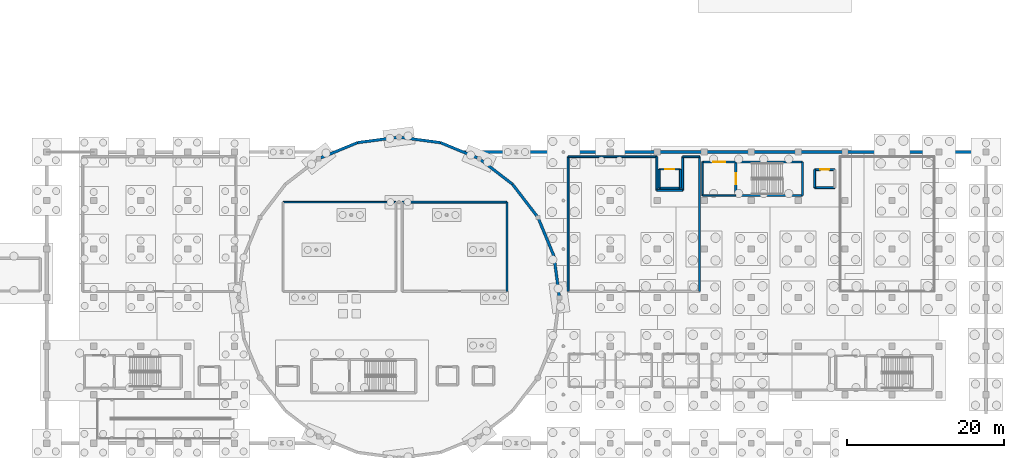
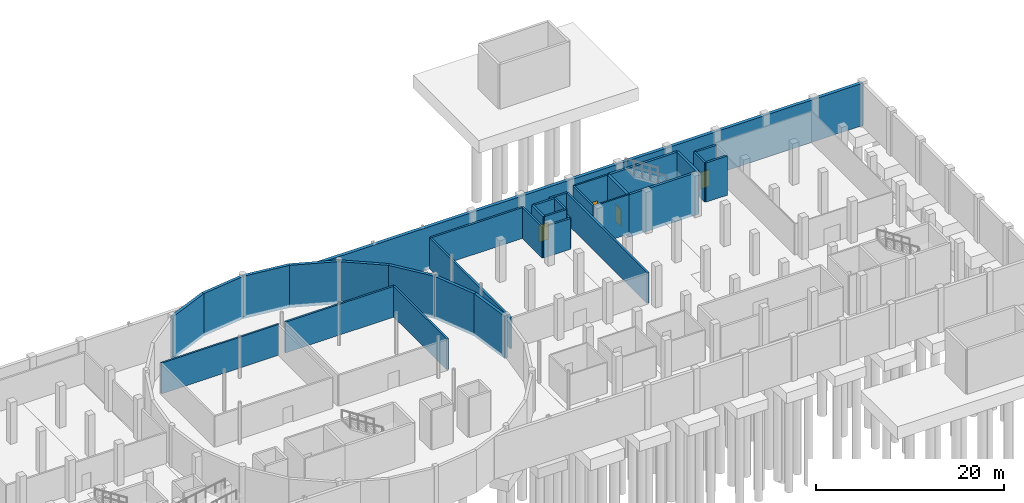
# One storey, part 13 of 19: 33 walls, 4 doors, 4 openings.
"""IFC4 building model written with IfcOpenShell, lengths in metres."""

from ifc_helpers import new_model, si_unit, direction, frame, frame_2d, origin, place, context, subcontext, project, spatial, rectangle, extrude, material, layer, layer_set, type_object, element, fill, save


model = new_model("IFC4")

# Units and contexts
model_context = context("Model", 3, precision=1e-05, world=origin(), true_north=direction((0.0, 1.0)))
body_context = subcontext(model_context, "Body", "Model", "MODEL_VIEW")
ifc_project = project(units=[si_unit("LENGTHUNIT", "METRE"), si_unit("AREAUNIT", "SQUARE_METRE"), si_unit("VOLUMEUNIT", "CUBIC_METRE"), si_unit("PLANEANGLEUNIT", "RADIAN"), si_unit("MASSUNIT", "GRAM", prefix="KILO")], contexts=[model_context])

# Site, building, storey
site_placement = place(None, origin())
site = spatial("IfcSite", under=ifc_project, at=site_placement, CompositionType="ELEMENT")
building_placement = place(site_placement, origin())
building = spatial("IfcBuilding", under=site, at=building_placement, Name="Mirzam Square Science Centre", CompositionType="ELEMENT")
storey_placement = place(building_placement, frame((0.0, 0.0, -5.39990234375)))
storey = spatial("IfcBuildingStorey", under=building, at=storey_placement, Name="B01", CompositionType="ELEMENT", Elevation=-5.39990234375)

# Walls
ifc_material_1 = material(Name="Concrete C45/55", Category="concrete")
ifc_layer_1 = layer(ifc_material_1, 0.300048828125)
ifc_layer_set_1 = layer_set([ifc_layer_1], Name="W-CORE-300")
wall_type_1 = type_object("IfcWallType", Name="W-CORE-300", PredefinedType="SHEAR", material=ifc_layer_set_1)
for number, where, z_axis, x_axis, name in (
    (1, (124.0400390625, 75.0400390625, -0.400146484375), (0.0, 0.0, 1.0), (1.0, 0.0, 0.0), "B01 CORE-4 south wall"),
    (2, (132.56005859375, 79.330078125, -0.400146484375), (0.0, 0.0, 1.0), (-1.0, 0.0, 0.0), "B01 CORE-4 north wall"),
):
    element("IfcWall", number, at=place(storey_placement, frame(where, z_axis=z_axis, x_axis=x_axis)), inside=storey, type_object=wall_type_1, Name=name, PredefinedType="SHEAR", context=body_context, shape_type="SweptSolid", body=[
        extrude(rectangle(XDim=8.52001953125, YDim=0.300048828125, at=frame_2d((4.260009765625, 0.0))), origin(), (0.0, 0.0, 1.0), 5.5),
    ])

# Wall, opening, door
wall_1_placement = place(storey_placement, frame((124.0400390625, 79.330078125, -0.400146484375), z_axis=(0.0, 0.0, 1.0), x_axis=(0.0, -1.0, 0.0)))
wall_1 = element("IfcWall", 3, at=wall_1_placement, inside=storey, type_object=wall_type_1, Name="B01 CORE-4 west wall", PredefinedType="SHEAR", context=body_context, shape_type="SweptSolid", body=[
    extrude(rectangle(XDim=4.2900390625, YDim=0.300048828125, at=frame_2d((2.14501953125, 0.0))), origin(), (0.0, 0.0, 1.0), 5.5),
])
opening_1_placement = place(wall_1_placement, frame((1.469970703125, 0.0, 0.39990234375)))
opening_1 = element("IfcOpeningElement", 4, at=opening_1_placement, cuts=wall_1, Name="Opening DS-01", PredefinedType="OPENING", context=body_context, shape_type="SweptSolid", body=[
    extrude(rectangle(XDim=1.35009765625, YDim=2.199951171875, at=frame_2d((0.675048828125, 1.10009765625))), frame((0.0, 0.159912109375, 0.0), z_axis=(0.0, -1.0, 0.0), x_axis=(1.0, 0.0, 0.0)), (0.0, 0.0, 1.0), 0.320068359375),
])
ifc_material_2 = material(Name="Fire-Rated Powder-Coated Architectural Steel Door", Category="steel")
door_type_1 = type_object("IfcDoorType", Name="DR-STAIR-1350x2200", OperationType="NOTDEFINED", PredefinedType="DOOR", material=ifc_material_2)
door_1_placement = place(opening_1_placement, origin())
door_1 = element("IfcDoor", 5, at=door_1_placement, inside=storey, type_object=door_type_1, Name="DRS-4-B01", OperationType="SINGLE_SWING_LEFT", OverallHeight=2.199951171875, OverallWidth=1.35009765625, PredefinedType="DOOR", context=body_context, shape_type="SweptSolid", body=[
    extrude(rectangle(XDim=1.35009765625, YDim=2.199951171875, at=frame_2d((0.675048828125, 1.10009765625))), frame((0.0, 0.02490234375, 0.0), z_axis=(0.0, -1.0, 0.0), x_axis=(1.0, 0.0, 0.0)), (0.0, 0.0, 1.0), 0.050048828125),
])
fill(opening_1, door_1)

# Walls
wall_2_placement = place(storey_placement, frame((132.56005859375, 75.0400390625, -0.400146484375), z_axis=(0.0, 0.0, 1.0), x_axis=(0.0, 1.0, 0.0)))
element("IfcWall", 6, at=wall_2_placement, inside=storey, type_object=wall_type_1, Name="B01 CORE-4 east wall", PredefinedType="SHEAR", context=body_context, shape_type="SweptSolid", body=[
    extrude(rectangle(XDim=4.2900390625, YDim=0.300048828125, at=frame_2d((2.14501953125, 0.0))), origin(), (0.0, 0.0, 1.0), 5.5),
])
ifc_layer_2 = layer(ifc_material_1, 0.35009765625)
ifc_layer_set_2 = layer_set([ifc_layer_2], Name="W-DRUM-350")
wall_type_2 = type_object("IfcWallType", Name="W-DRUM-350", PredefinedType="SHEAR", material=ifc_layer_set_2)
wall_3_placement = place(storey_placement, frame((101.5, 62.0, -0.400146484375), z_axis=(0.0, 0.0, 1.0), x_axis=(-0.130517056518, 0.991446064069, 0.0)))
element("IfcWall", 7, at=wall_3_placement, inside=storey, type_object=wall_type_2, Name="B01 planetarium drum wall 01", PredefinedType="SHEAR", context=body_context, shape_type="SweptSolid", body=[
    extrude(rectangle(XDim=5.351806640625, YDim=0.35009765625, at=frame_2d((2.67578125, 0.0))), origin(), (0.0, 0.0, 1.0), 5.5),
])
for number, where, z_axis, x_axis, name in (
    (8, (100.801513671875, 67.305908203125, -0.400146484375), (0.0, 0.0, 1.0), (-0.382713071139, 0.923867255172, 0.0), "B01 planetarium drum wall 02"),
    (9, (98.75341796875, 72.25, -0.400146484375), (0.0, 0.0, 1.0), (-0.60876670321, 0.793349293227, 0.0), "B01 planetarium drum wall 03"),
    (10, (95.49560546875, 76.49560546875, -0.400146484375), (0.0, 0.0, 1.0), (-0.793349293227, 0.60876670321, 0.0), "B01 planetarium drum wall 04"),
    (11, (91.25, 79.75341796875, -0.400146484375), (0.0, 0.0, 1.0), (-0.923867255172, 0.382713071139, 0.0), "B01 planetarium drum wall 05"),
):
    element("IfcWall", number, at=place(storey_placement, frame(where, z_axis=z_axis, x_axis=x_axis)), inside=storey, type_object=wall_type_2, Name=name, PredefinedType="SHEAR", context=body_context, shape_type="SweptSolid", body=[
        extrude(rectangle(XDim=5.3515625, YDim=0.35009765625, at=frame_2d((2.67578125, 0.0))), origin(), (0.0, 0.0, 1.0), 5.5),
    ])
for number, where, z_axis, x_axis, name in (
    (12, (86.305908203125, 81.801513671875, -0.400146484375), (0.0, 0.0, 1.0), (-0.991446064069, 0.130517056518, 0.0), "B01 planetarium drum wall 06"),
    (13, (81.0, 82.5, -0.400146484375), (0.0, 0.0, 1.0), (-0.991446064069, -0.130517056518, 0.0), "B01 planetarium drum wall 07"),
):
    element("IfcWall", number, at=place(storey_placement, frame(where, z_axis=z_axis, x_axis=x_axis)), inside=storey, type_object=wall_type_2, Name=name, PredefinedType="SHEAR", context=body_context, shape_type="SweptSolid", body=[
        extrude(rectangle(XDim=5.351806640625, YDim=0.35009765625, at=frame_2d((2.67578125, 0.0))), origin(), (0.0, 0.0, 1.0), 5.5),
    ])
wall_4_placement = place(storey_placement, frame((75.694091796875, 81.801513671875, -0.400146484375), z_axis=(0.0, 0.0, 1.0), x_axis=(-0.923867255172, -0.382713071139, 0.0)))
element("IfcWall", 14, at=wall_4_placement, inside=storey, type_object=wall_type_2, Name="B01 planetarium drum wall 08", PredefinedType="SHEAR", context=body_context, shape_type="SweptSolid", body=[
    extrude(rectangle(XDim=5.3515625, YDim=0.35009765625, at=frame_2d((2.67578125, 0.0))), origin(), (0.0, 0.0, 1.0), 5.5),
])
ifc_layer_3 = layer(ifc_material_1, 0.199951171875)
ifc_layer_set_3 = layer_set([ifc_layer_3], Name="W-LOBBY-200")
wall_type_3 = type_object("IfcWallType", Name="W-LOBBY-200", PredefinedType="SHEAR", material=ifc_layer_set_3)
wall_5_placement = place(storey_placement, frame((119.800048828125, 75.0400390625, 0.0), z_axis=(0.0, 0.0, 1.0), x_axis=(1.0, 0.0, 0.0)))
element("IfcWall", 15, at=wall_5_placement, inside=storey, type_object=wall_type_3, Name="B01 CORE-4 lobby south wall", PredefinedType="SHEAR", context=body_context, shape_type="SweptSolid", body=[
    extrude(rectangle(XDim=4.239990234375, YDim=0.199951171875, at=frame_2d((2.1201171875, 0.0))), origin(), (0.0, 0.0, 1.0), 5.099853515625),
])

# Wall, opening, door
wall_6_placement = place(storey_placement, frame((124.0400390625, 79.330078125, 0.0), z_axis=(0.0, 0.0, 1.0), x_axis=(-1.0, 0.0, 0.0)))
wall_6 = element("IfcWall", 16, at=wall_6_placement, inside=storey, type_object=wall_type_3, Name="B01 CORE-4 lobby north wall", PredefinedType="SHEAR", context=body_context, shape_type="SweptSolid", body=[
    extrude(rectangle(XDim=4.239990234375, YDim=0.199951171875, at=frame_2d((2.1201171875, 0.0))), origin(), (0.0, 0.0, 1.0), 5.099853515625),
])
opening_2_placement = place(wall_6_placement, frame((1.344970703125, 0.0, 0.0)))
opening_2 = element("IfcOpeningElement", 17, at=opening_2_placement, cuts=wall_6, Name="Opening DL-01", PredefinedType="OPENING", context=body_context, shape_type="SweptSolid", body=[
    extrude(rectangle(XDim=1.550048828125, YDim=2.199951171875, at=frame_2d((0.77490234375, 1.10009765625))), frame((0.0, 0.10986328125, 0.0), z_axis=(0.0, -1.0, 0.0), x_axis=(1.0, 0.0, 0.0)), (0.0, 0.0, 1.0), 0.219970703125),
])
ifc_material_3 = material(Name="Fire-Rated Glazed Architectural Steel Lobby Door", Category="steel")
door_type_2 = type_object("IfcDoorType", Name="DR-LOBBY-1550x2200", OperationType="DOUBLE_DOOR_SINGLE_SWING", PredefinedType="DOOR", material=ifc_material_3)
door_2_placement = place(opening_2_placement, origin())
door_2 = element("IfcDoor", 18, at=door_2_placement, inside=storey, type_object=door_type_2, Name="DRL-4-B01", OperationType="SINGLE_SWING_LEFT", OverallHeight=2.199951171875, OverallWidth=1.550048828125, PredefinedType="DOOR", context=body_context, shape_type="SweptSolid", body=[
    extrude(rectangle(XDim=1.550048828125, YDim=2.199951171875, at=frame_2d((0.77490234375, 1.10009765625))), frame((0.0, 0.02490234375, 0.0), z_axis=(0.0, -1.0, 0.0), x_axis=(1.0, 0.0, 0.0)), (0.0, 0.0, 1.0), 0.050048828125),
])
fill(opening_2, door_2)

# Walls
wall_7_placement = place(storey_placement, frame((119.800048828125, 79.330078125, 0.0), z_axis=(0.0, 0.0, 1.0), x_axis=(0.0, -1.0, 0.0)))
element("IfcWall", 19, at=wall_7_placement, inside=storey, type_object=wall_type_3, Name="B01 CORE-4 lobby west wall", PredefinedType="SHEAR", context=body_context, shape_type="SweptSolid", body=[
    extrude(rectangle(XDim=4.2900390625, YDim=0.199951171875, at=frame_2d((2.14501953125, 0.0))), origin(), (0.0, 0.0, 1.0), 5.099853515625),
])
ifc_material_4 = material(Name="Chemical Prep Fire Partition Concrete C30/37", Category="concrete")
ifc_layer_4 = layer(ifc_material_4, 0.215087890625)
ifc_layer_set_4 = layer_set([ifc_layer_4], Name="W-PART-215")
wall_type_4 = type_object("IfcWallType", Name="W-PART-215", PredefinedType="PARTITIONING", material=ifc_layer_set_4)
wall_8_placement = place(storey_placement, frame((66.199951171875, 74.199951171875, 0.0), z_axis=(0.0, 0.0, 1.0), x_axis=(1.0, 0.0, 0.0)))
element("IfcWall", 20, at=wall_8_placement, inside=storey, type_object=wall_type_4, Name="B01 Exhibit Fabrication Workshop partition 17", PredefinedType="PARTITIONING", context=body_context, shape_type="SweptSolid", body=[
    extrude(rectangle(XDim=14.400146484375, YDim=0.215087890625, at=frame_2d((7.2001953125, 0.0))), origin(), (0.0, 0.0, 1.0), 4.0),
])
ifc_material_5 = material(Name="Gallery Display Backing Wall Concrete C30/37", Category="concrete")
ifc_layer_5 = layer(ifc_material_5, 0.22998046875)
ifc_layer_set_5 = layer_set([ifc_layer_5], Name="W-PART-230")
wall_type_5 = type_object("IfcWallType", Name="W-PART-230", PredefinedType="PARTITIONING", material=ifc_layer_set_5)
wall_9_placement = place(storey_placement, frame((81.39990234375, 74.199951171875, 0.0), z_axis=(0.0, 0.0, 1.0), x_axis=(1.0, 0.0, 0.0)))
element("IfcWall", 21, at=wall_9_placement, inside=storey, type_object=wall_type_5, Name="B01 Conservation and Quarantine Laboratory partition 21", PredefinedType="PARTITIONING", context=body_context, shape_type="SweptSolid", body=[
    extrude(rectangle(XDim=13.400146484375, YDim=0.22998046875, at=frame_2d((6.7001953125, 0.0))), origin(), (0.0, 0.0, 1.0), 4.0),
])
wall_10_placement = place(storey_placement, frame((94.800048828125, 74.199951171875, 0.0), z_axis=(0.0, 0.0, 1.0), x_axis=(0.0, -1.0, 0.0)))
element("IfcWall", 22, at=wall_10_placement, inside=storey, type_object=wall_type_5, Name="B01 Conservation and Quarantine Laboratory partition 22", PredefinedType="PARTITIONING", context=body_context, shape_type="SweptSolid", body=[
    extrude(rectangle(XDim=11.39990234375, YDim=0.22998046875, at=frame_2d((5.699951171875, 0.0))), origin(), (0.0, 0.0, 1.0), 4.0),
])
ifc_material_6 = material(Name="Plant Acoustic Barrier Wall Concrete C35/45", Category="concrete")
ifc_layer_6 = layer(ifc_material_6, 0.2451171875)
ifc_layer_set_6 = layer_set([ifc_layer_6], Name="W-PART-245")
wall_type_6 = type_object("IfcWallType", Name="W-PART-245", PredefinedType="PARTITIONING", material=ifc_layer_set_6)
for number, where, z_axis, x_axis, name in (
    (23, (119.39990234375, 80.0, 0.0), (0.0, 0.0, 1.0), (0.0, -1.0, 0.0), "B01 Collection Archive and Crate Store partition 25"),
    (24, (102.60009765625, 62.800048828125, 0.0), (0.0, 0.0, 1.0), (0.0, 1.0, 0.0), "B01 Collection Archive and Crate Store partition 27"),
):
    element("IfcWall", number, at=place(storey_placement, frame(where, z_axis=z_axis, x_axis=x_axis)), inside=storey, type_object=wall_type_6, Name=name, PredefinedType="PARTITIONING", context=body_context, shape_type="SweptSolid", body=[
        extrude(rectangle(XDim=17.199951171875, YDim=0.2451171875, at=frame_2d((8.60009765625, 0.0))), origin(), (0.0, 0.0, 1.0), 4.0),
    ])
wall_11_placement = place(storey_placement, frame((102.60009765625, 80.0, 0.0), z_axis=(0.0, 0.0, 1.0), x_axis=(1.0, 0.0, 0.0)))
element("IfcWall", 25, at=wall_11_placement, inside=storey, type_object=wall_type_6, Name="B01 Collection Archive and Crate Store partition 28", PredefinedType="PARTITIONING", context=body_context, shape_type="SweptSolid", body=[
    extrude(rectangle(XDim=11.349853515625, YDim=0.2451171875, at=frame_2d((5.6748046875, 0.0))), origin(), (0.0, 0.0, 1.0), 4.0),
])
wall_12_placement = place(storey_placement, frame((113.949951171875, 80.0, 0.0), z_axis=(0.0, 0.0, 1.0), x_axis=(0.0, -1.0, 0.0)))
element("IfcWall", 26, at=wall_12_placement, inside=storey, type_object=wall_type_6, Name="B01 Collection Archive and Crate Store partition 29", PredefinedType="PARTITIONING", context=body_context, shape_type="SweptSolid", body=[
    extrude(rectangle(XDim=4.300048828125, YDim=0.2451171875, at=frame_2d((2.14990234375, 0.0))), origin(), (0.0, 0.0, 1.0), 4.0),
])
wall_13_placement = place(storey_placement, frame((113.949951171875, 75.699951171875, 0.0), z_axis=(0.0, 0.0, 1.0), x_axis=(1.0, 0.0, 0.0)))
element("IfcWall", 27, at=wall_13_placement, inside=storey, type_object=wall_type_6, Name="B01 Collection Archive and Crate Store partition 30", PredefinedType="PARTITIONING", context=body_context, shape_type="SweptSolid", body=[
    extrude(rectangle(XDim=3.300048828125, YDim=0.2451171875, at=frame_2d((1.64990234375, 0.0))), origin(), (0.0, 0.0, 1.0), 4.0),
])
wall_14_placement = place(storey_placement, frame((117.25, 75.699951171875, 0.0), z_axis=(0.0, 0.0, 1.0), x_axis=(0.0, 1.0, 0.0)))
element("IfcWall", 28, at=wall_14_placement, inside=storey, type_object=wall_type_6, Name="B01 Collection Archive and Crate Store partition 31", PredefinedType="PARTITIONING", context=body_context, shape_type="SweptSolid", body=[
    extrude(rectangle(XDim=4.300048828125, YDim=0.2451171875, at=frame_2d((2.14990234375, 0.0))), origin(), (0.0, 0.0, 1.0), 4.0),
])
wall_15_placement = place(storey_placement, frame((117.25, 80.0, 0.0), z_axis=(0.0, 0.0, 1.0), x_axis=(1.0, 0.0, 0.0)))
element("IfcWall", 29, at=wall_15_placement, inside=storey, type_object=wall_type_6, Name="B01 Collection Archive and Crate Store partition 32", PredefinedType="PARTITIONING", context=body_context, shape_type="SweptSolid", body=[
    extrude(rectangle(XDim=2.14990234375, YDim=0.2451171875, at=frame_2d((1.074951171875, 0.0))), origin(), (0.0, 0.0, 1.0), 4.0),
])
ifc_layer_7 = layer(ifc_material_1, 0.39990234375)
ifc_layer_set_7 = layer_set([ifc_layer_7], Name="W-RET-400")
wall_type_7 = type_object("IfcWallType", Name="W-RET-400", PredefinedType="USERDEFINED", material=ifc_layer_set_7)
wall_16_placement = place(storey_placement, frame((89.206298828125, 80.60009765625, -0.400146484375), z_axis=(0.0, 0.0, 1.0), x_axis=(1.0, 0.0, 0.0)))
element("IfcWall", 30, at=wall_16_placement, inside=storey, type_object=wall_type_7, Name="B01 tanked retaining wall 04", ObjectType="RETAINING WALL", PredefinedType="USERDEFINED", context=body_context, shape_type="SweptSolid", body=[
    extrude(rectangle(XDim=66.793701171875, YDim=0.39990234375, at=frame_2d((33.39697265625, 0.0))), origin(), (0.0, 0.0, 1.0), 5.5),
])
ifc_layer_8 = layer(ifc_material_1, 0.25)
ifc_layer_set_8 = layer_set([ifc_layer_8], Name="W-SHAFT-250")
wall_type_8 = type_object("IfcWallType", Name="W-SHAFT-250", PredefinedType="SHEAR", material=ifc_layer_set_8)
wall_17_placement = place(storey_placement, frame((134.10009765625, 76.050048828125, 0.0), z_axis=(0.0, 0.0, 1.0), x_axis=(1.0, 0.0, 0.0)))
element("IfcWall", 31, at=wall_17_placement, inside=storey, type_object=wall_type_8, Name="B01 lift LP-03 shaft wall S", PredefinedType="SHEAR", context=body_context, shape_type="SweptSolid", body=[
    extrude(rectangle(XDim=2.599853515625, YDim=0.25, at=frame_2d((1.2998046875, 0.0))), origin(), (0.0, 0.0, 1.0), 5.099853515625),
])

# Wall, opening, door
wall_18_placement = place(storey_placement, frame((136.699951171875, 78.35009765625, 0.0), z_axis=(0.0, 0.0, 1.0), x_axis=(-1.0, 0.0, 0.0)))
wall_18 = element("IfcWall", 32, at=wall_18_placement, inside=storey, type_object=wall_type_8, Name="B01 lift LP-03 shaft wall N", PredefinedType="SHEAR", context=body_context, shape_type="SweptSolid", body=[
    extrude(rectangle(XDim=2.599853515625, YDim=0.25, at=frame_2d((1.2998046875, 0.0))), origin(), (0.0, 0.0, 1.0), 5.099853515625),
])
opening_3_placement = place(wall_18_placement, frame((0.75, 0.0, 0.0)))
opening_3 = element("IfcOpeningElement", 33, at=opening_3_placement, cuts=wall_18, Name="Opening LD-01", PredefinedType="OPENING", context=body_context, shape_type="SweptSolid", body=[
    extrude(rectangle(XDim=1.10009765625, YDim=2.14990234375, at=frame_2d((0.550048828125, 1.074951171875))), frame((0.0, 0.135009765625, 0.0), z_axis=(0.0, -1.0, 0.0), x_axis=(1.0, 0.0, 0.0)), (0.0, 0.0, 1.0), 0.27001953125),
])
ifc_material_7 = material(Name="Brushed Stainless Steel 316L Sliding Lift Door", Category="steel")
door_type_3 = type_object("IfcDoorType", Name="LD-PASS-1100x2150", OperationType="DOUBLE_DOOR_SLIDING", PredefinedType="DOOR", material=ifc_material_7)
door_3_placement = place(opening_3_placement, origin())
door_3 = element("IfcDoor", 34, at=door_3_placement, inside=storey, type_object=door_type_3, Name="LD-LP-03-B01", OperationType="DOUBLE_DOOR_SLIDING", OverallHeight=2.14990234375, OverallWidth=1.10009765625, PredefinedType="DOOR", context=body_context, shape_type="SweptSolid", body=[
    extrude(rectangle(XDim=1.10009765625, YDim=2.14990234375, at=frame_2d((0.550048828125, 1.074951171875))), frame((0.0, 0.02490234375, 0.0), z_axis=(0.0, -1.0, 0.0), x_axis=(1.0, 0.0, 0.0)), (0.0, 0.0, 1.0), 0.050048828125),
])
fill(opening_3, door_3)

# Walls
wall_19_placement = place(storey_placement, frame((134.10009765625, 78.35009765625, 0.0), z_axis=(0.0, 0.0, 1.0), x_axis=(0.0, -1.0, 0.0)))
element("IfcWall", 35, at=wall_19_placement, inside=storey, type_object=wall_type_8, Name="B01 lift LP-03 shaft wall W", PredefinedType="SHEAR", context=body_context, shape_type="SweptSolid", body=[
    extrude(rectangle(XDim=2.300048828125, YDim=0.25, at=frame_2d((1.14990234375, 0.0))), origin(), (0.0, 0.0, 1.0), 5.099853515625),
])
wall_20_placement = place(storey_placement, frame((114.25, 76.0, 0.0), z_axis=(0.0, 0.0, 1.0), x_axis=(1.0, 0.0, 0.0)))
element("IfcWall", 36, at=wall_20_placement, inside=storey, type_object=wall_type_8, Name="B01 lift LF-02 shaft wall S", PredefinedType="SHEAR", context=body_context, shape_type="SweptSolid", body=[
    extrude(rectangle(XDim=2.699951171875, YDim=0.25, at=frame_2d((1.35009765625, 0.0))), origin(), (0.0, 0.0, 1.0), 5.099853515625),
])

# Wall, opening, door
wall_21_placement = place(storey_placement, frame((116.949951171875, 78.39990234375, 0.0), z_axis=(0.0, 0.0, 1.0), x_axis=(-1.0, 0.0, 0.0)))
wall_21 = element("IfcWall", 37, at=wall_21_placement, inside=storey, type_object=wall_type_8, Name="B01 lift LF-02 shaft wall N", PredefinedType="SHEAR", context=body_context, shape_type="SweptSolid", body=[
    extrude(rectangle(XDim=2.699951171875, YDim=0.25, at=frame_2d((1.35009765625, 0.0))), origin(), (0.0, 0.0, 1.0), 5.099853515625),
])
opening_4_placement = place(wall_21_placement, frame((0.75, 0.0, 0.0)))
opening_4 = element("IfcOpeningElement", 38, at=opening_4_placement, cuts=wall_21, Name="Opening LD-02", PredefinedType="OPENING", context=body_context, shape_type="SweptSolid", body=[
    extrude(rectangle(XDim=1.199951171875, YDim=2.199951171875, at=frame_2d((0.60009765625, 1.10009765625))), frame((0.0, 0.135009765625, 0.0), z_axis=(0.0, -1.0, 0.0), x_axis=(1.0, 0.0, 0.0)), (0.0, 0.0, 1.0), 0.27001953125),
])
ifc_material_8 = material(Name="Firefighting Brushed Stainless Steel 316L Sliding Door", Category="steel")
door_type_4 = type_object("IfcDoorType", Name="LD-FIRE-1200x2200", OperationType="DOUBLE_DOOR_SLIDING", PredefinedType="DOOR", material=ifc_material_8)
door_4_placement = place(opening_4_placement, origin())
door_4 = element("IfcDoor", 39, at=door_4_placement, inside=storey, type_object=door_type_4, Name="LD-LF-02-B01", OperationType="DOUBLE_DOOR_SLIDING", OverallHeight=2.199951171875, OverallWidth=1.199951171875, PredefinedType="DOOR", context=body_context, shape_type="SweptSolid", body=[
    extrude(rectangle(XDim=1.199951171875, YDim=2.199951171875, at=frame_2d((0.60009765625, 1.10009765625))), frame((0.0, 0.02490234375, 0.0), z_axis=(0.0, -1.0, 0.0), x_axis=(1.0, 0.0, 0.0)), (0.0, 0.0, 1.0), 0.050048828125),
])
fill(opening_4, door_4)

# Walls
for number, where, z_axis, x_axis, name in (
    (40, (114.25, 78.39990234375, 0.0), (0.0, 0.0, 1.0), (0.0, -1.0, 0.0), "B01 lift LF-02 shaft wall W"),
    (41, (116.949951171875, 76.0, 0.0), (0.0, 0.0, 1.0), (0.0, 1.0, 0.0), "B01 lift LF-02 shaft wall E"),
):
    element("IfcWall", number, at=place(storey_placement, frame(where, z_axis=z_axis, x_axis=x_axis)), inside=storey, type_object=wall_type_8, Name=name, PredefinedType="SHEAR", context=body_context, shape_type="SweptSolid", body=[
        extrude(rectangle(XDim=2.39990234375, YDim=0.25, at=frame_2d((1.199951171875, 0.0))), origin(), (0.0, 0.0, 1.0), 5.099853515625),
    ])

save(model, "model.ifc")
